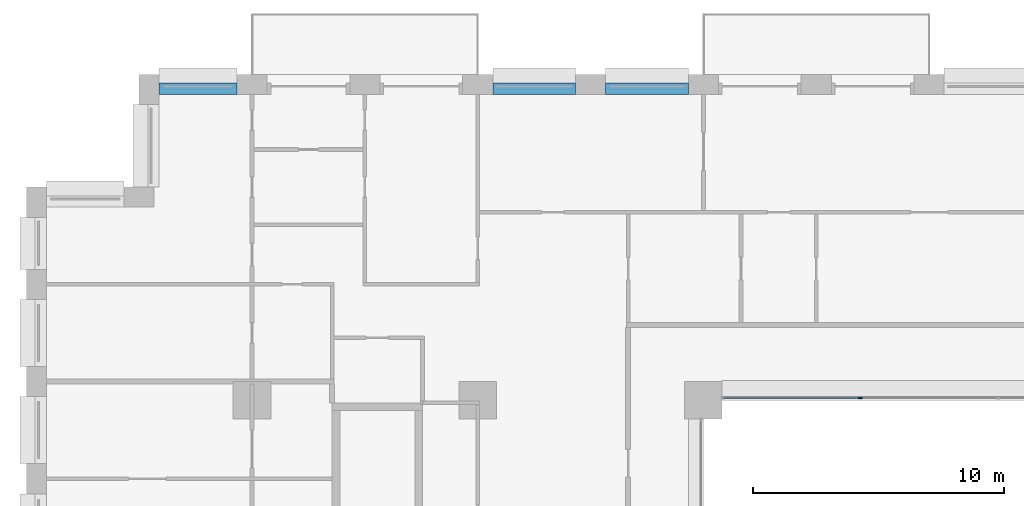
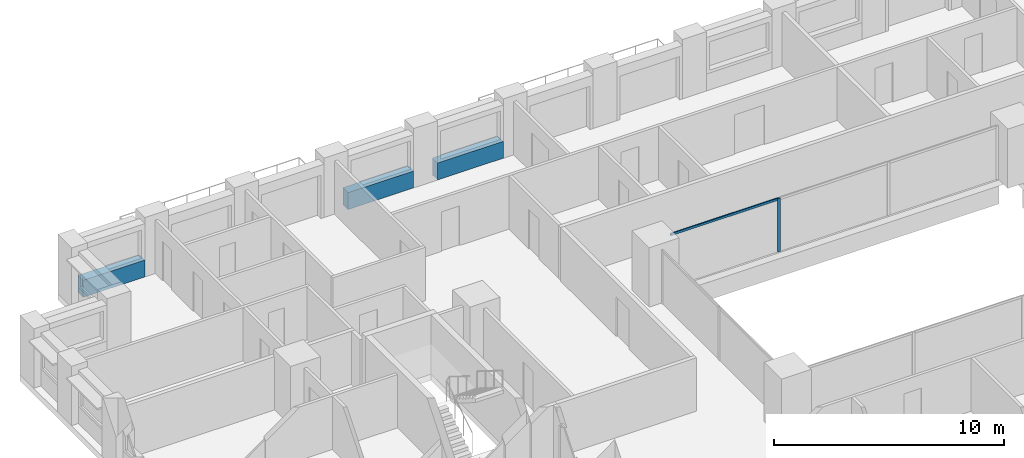
# One storey, part 6 of 19: 3 beams, 2 members, 1 element without a shape of its own.
"""IFC4 building model written with IfcOpenShell, lengths in metres."""

from ifc_helpers import new_model, si_unit, direction, frame, origin, origin_2d, place, context, subcontext, project, spatial, rectangle, extrude, material, layer, layer_set, material_profile, profile_set, type_object, element, aggregate, save


model = new_model("IFC4")

# Units and contexts
model_context = context("Model", 3, precision=1e-05, world=origin(), true_north=direction((0.0, 1.0)))
body_context = subcontext(model_context, "Body", "Model", "MODEL_VIEW")
ifc_project = project(units=[si_unit("LENGTHUNIT", "METRE"), si_unit("AREAUNIT", "SQUARE_METRE"), si_unit("VOLUMEUNIT", "CUBIC_METRE"), si_unit("PLANEANGLEUNIT", "RADIAN"), si_unit("MASSUNIT", "GRAM", prefix="KILO")], contexts=[model_context])

# Site, building, storey
site_placement = place(None, origin())
site = spatial("IfcSite", under=ifc_project, at=site_placement, CompositionType="ELEMENT")
building_placement = place(site_placement, origin())
building = spatial("IfcBuilding", under=site, at=building_placement, Name="Brigalow Station Residences", CompositionType="ELEMENT")
storey_placement = place(building_placement, frame((0.0, 0.0, 32.10009765625)))
storey = spatial("IfcBuildingStorey", under=building, at=storey_placement, Name="L08", CompositionType="ELEMENT", Elevation=32.10009765625)

# Curtain wall, members
ifc_material_1 = material(Name="Aluminium", Category="aluminium")
ifc_layer = layer(ifc_material_1, 0.14990234375)
ifc_layer_set = layer_set([ifc_layer], Name="ATRIUM FIRE-RATED GLAZING CURTAIN WALL")
curtain_wall_type = type_object("IfcCurtainWallType", Name="ATRIUM FIRE-RATED GLAZING CURTAIN WALL", PredefinedType="NOTDEFINED", material=ifc_layer_set)
curtain_wall_placement = place(storey_placement, origin())
curtain_wall = element("IfcCurtainWall", 1, at=curtain_wall_placement, inside=storey, type_object=curtain_wall_type, Name="L08/cw/atrium-N", PredefinedType="NOTDEFINED")
ifc_material_2 = material(Name="Aluminium", Category="aluminium")
ifc_material_profile_1 = material_profile(ifc_material_2, rectangle(XDim=0.06005859375, YDim=0.14990234375, at=origin_2d()), Name="ATRIUM FIRE-RATED GLAZING MULLION 60x150")
ifc_profile_set_1 = profile_set([ifc_material_profile_1], Name="Aluminium")
member_type_1 = type_object("IfcMemberType", Name="ATRIUM FIRE-RATED GLAZING MULLION 60x150", PredefinedType="MULLION", material=ifc_profile_set_1)
member_1_placement = place(storey_placement, frame((33.25, 35.60009765625, 0.0), z_axis=(0.0, 0.0, 1.0), x_axis=(0.0, -1.0, 0.0)))
member_1 = element("IfcMember", 2, at=member_1_placement, type_object=member_type_1, Name="L08/cw/atrium-N/M02", PredefinedType="MULLION", context=body_context, shape_type="SweptSolid", body=[
    extrude(rectangle(XDim=0.06005859375, YDim=0.14990234375, at=origin_2d()), origin(), (0.0, 0.0, 1.0), 2.829833984375),
])
ifc_material_3 = material(Name="Aluminium", Category="aluminium")
ifc_material_profile_2 = material_profile(ifc_material_3, rectangle(XDim=0.06005859375, YDim=0.1201171875, at=origin_2d()), Name="ATRIUM FIRE-RATED GLAZING TRANSOM 60x120")
ifc_profile_set_2 = profile_set([ifc_material_profile_2], Name="Aluminium")
member_type_2 = type_object("IfcMemberType", Name="ATRIUM FIRE-RATED GLAZING TRANSOM 60x120", PredefinedType="USERDEFINED", material=ifc_profile_set_2)
member_2_placement = place(storey_placement, frame((33.219970703125, 35.60009765625, 2.7998046875), z_axis=(-1.0, 0.0, 0.0), x_axis=(0.0, -1.0, 0.0)))
member_2 = element("IfcMember", 3, at=member_2_placement, type_object=member_type_2, Name="L08/cw/atrium-N/T02-00", ObjectType="TRANSOM", PredefinedType="USERDEFINED", context=body_context, shape_type="SweptSolid", body=[
    extrude(rectangle(XDim=0.06005859375, YDim=0.1201171875, at=origin_2d()), origin(), (0.0, 0.0, 1.0), 5.409912109375),
])
aggregate(curtain_wall, [member_1, member_2])

# Beams
ifc_material_4 = material(Name="Concrete C65", Category="concrete")
ifc_material_profile_3 = material_profile(ifc_material_4, rectangle(XDim=0.449951171875, YDim=0.89990234375, at=origin_2d()), Name="RC450x900")
ifc_profile_set_3 = profile_set([ifc_material_profile_3], Name="Concrete C65")
beam_type = type_object("IfcBeamType", Name="SPANDREL BEAM 450x900 C65", PredefinedType="SPANDREL", material=ifc_profile_set_3)
for number, where, z_axis, x_axis, name in (
    (4, (26.39990234375, 47.925048828125, 0.449951171875), (-1.0, 0.0, 0.0), (0.0, -1.0, 0.0), "L08/spandrel/W-L08-35"),
    (5, (21.89990234375, 47.925048828125, 0.449951171875), (-1.0, 0.0, 0.0), (0.0, -1.0, 0.0), "L08/spandrel/W-L08-36"),
):
    element("IfcBeam", number, at=place(storey_placement, frame(where, z_axis=z_axis, x_axis=x_axis)), inside=storey, type_object=beam_type, Name=name, PredefinedType="SPANDREL", context=body_context, shape_type="SweptSolid", body=[
        extrude(rectangle(XDim=0.449951171875, YDim=0.89990234375, at=origin_2d()), origin(), (0.0, 0.0, 1.0), 3.2998046875),
    ])
beam_placement = place(storey_placement, frame((8.39990234375, 47.925048828125, 0.449951171875), z_axis=(-1.0, 0.0, 0.0), x_axis=(0.0, -1.0, 0.0)))
element("IfcBeam", 6, at=beam_placement, inside=storey, type_object=beam_type, Name="L08/spandrel/W-L08-39", PredefinedType="SPANDREL", context=body_context, shape_type="SweptSolid", body=[
    extrude(rectangle(XDim=0.449951171875, YDim=0.89990234375, at=origin_2d()), origin(), (0.0, 0.0, 1.0), 3.099853515625),
])

save(model, "model.ifc")
